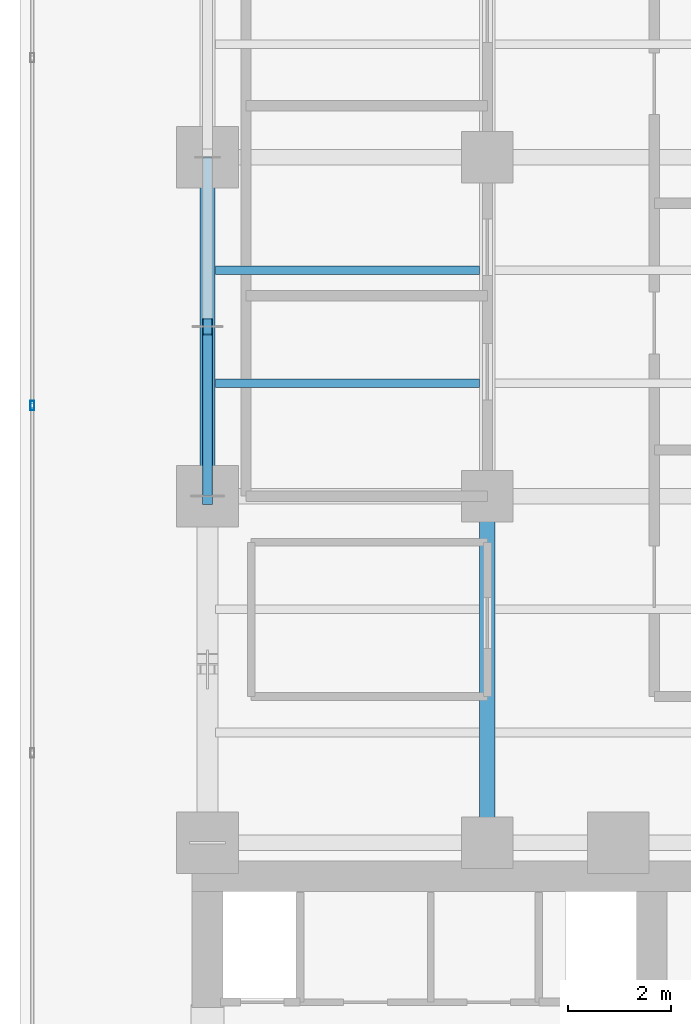
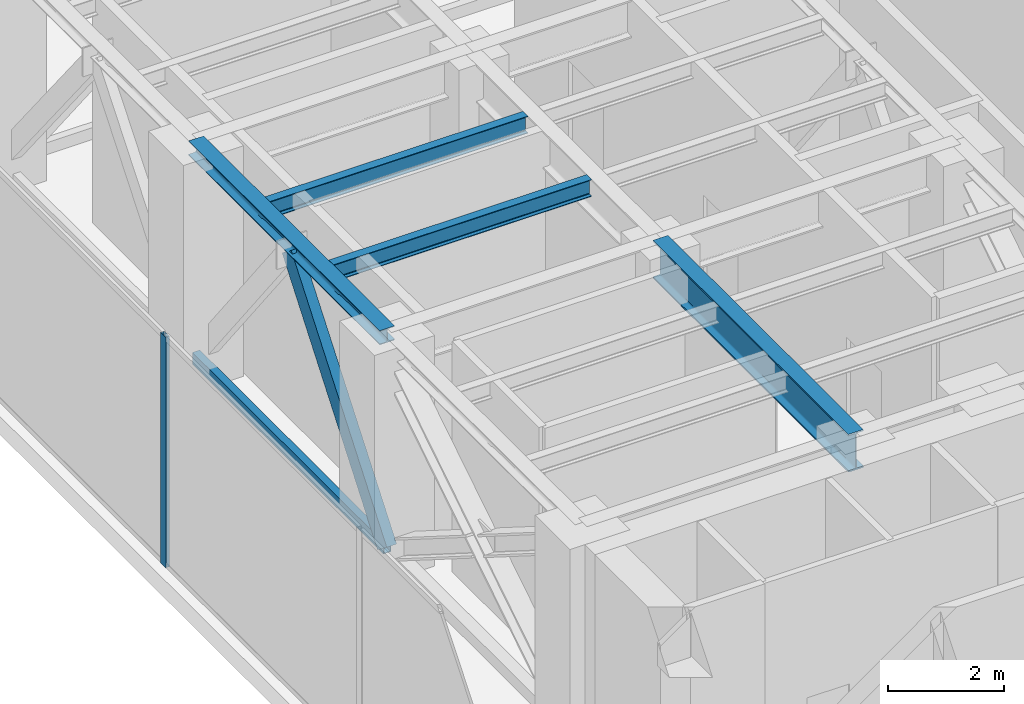
# One storey, part 11 of 36: 4 beams, 3 members, 1 element without a shape of its own.
"""IFC4 building model written with IfcOpenShell, lengths in metres."""

from ifc_helpers import new_model, si_unit, direction, frame, origin, origin_with_axes, origin_2d, place, context, subcontext, project, spatial, hollow_rectangle, i_section, extrude, source, transform, mapped, material, layer, layer_set, material_profile, profile_set, type_object, element, aggregate, save


model = new_model("IFC4")

# Units and contexts
model_context = context("Model", 3, precision=1e-05, world=origin(), true_north=direction((0.0, 1.0)))
body_context = subcontext(model_context, "Body", "Model", "MODEL_VIEW")
ifc_project = project(units=[si_unit("LENGTHUNIT", "METRE"), si_unit("AREAUNIT", "SQUARE_METRE"), si_unit("VOLUMEUNIT", "CUBIC_METRE"), si_unit("PLANEANGLEUNIT", "RADIAN"), si_unit("MASSUNIT", "GRAM", prefix="KILO")], contexts=[model_context])

# Site, building, storey
site_placement = place(None, origin())
site = spatial("IfcSite", under=ifc_project, at=site_placement, CompositionType="ELEMENT")
building_placement = place(site_placement, origin())
building = spatial("IfcBuilding", under=site, at=building_placement, Name="Kolvaren Waterfront Exchange", CompositionType="ELEMENT")
storey_placement = place(building_placement, frame((0.0, 0.0, 199.39990234375)))
storey = spatial("IfcBuildingStorey", under=building, at=storey_placement, Name="L51", CompositionType="ELEMENT", Elevation=199.39990234375)

# Beams
ifc_material_1 = material(Name="Steel S355", Category="steel")
ifc_material_profile_1 = material_profile(ifc_material_1, i_section(OverallWidth=0.300048828125, OverallDepth=0.300048828125, WebThickness=0.010986328125, FlangeThickness=0.01904296875, FilletRadius=0.027099609375, at=origin_2d()), Name="HEB300")
ifc_profile_set_1 = profile_set([ifc_material_profile_1], Name="Steel S355")
beam_type_1 = type_object("IfcBeamType", Name="STR-BM-HEB300", PredefinedType="SPANDREL", material=ifc_profile_set_1)
beam_1_placement = place(storey_placement, frame((7.449951171875, 31.199951171875, 4.710205078125), z_axis=(0.0, 1.0, 0.0), x_axis=(-1.0, 0.0, 0.0)))
element("IfcBeam", 1, at=beam_1_placement, inside=storey, type_object=beam_type_1, Name="L51 north-arm edge beam 2", PredefinedType="SPANDREL", context=body_context, shape_type="SweptSolid", body=[
    extrude(i_section(OverallWidth=0.300048828125, OverallDepth=0.300048828125, WebThickness=0.010986328125, FlangeThickness=0.01904296875, FilletRadius=0.027099609375, at=origin_2d()), origin(), (0.0, 0.0, 1.0), 6.60009765625),
])
ifc_material_profile_2 = material_profile(ifc_material_1, i_section(OverallWidth=0.300048828125, OverallDepth=0.800048828125, WebThickness=0.017578125, FlangeThickness=0.032958984375, FilletRadius=0.030029296875, at=origin_2d()), Name="HEB800")
ifc_profile_set_2 = profile_set([ifc_material_profile_2], Name="Steel S355")
beam_type_2 = type_object("IfcBeamType", Name="STR-BM-HEB800", PredefinedType="BEAM", material=ifc_profile_set_2)
beam_2_placement = place(storey_placement, frame((12.89990234375, 24.449951171875, 4.460205078125), z_axis=(0.0, 1.0, 0.0), x_axis=(-1.0, 0.0, 0.0)))
element("IfcBeam", 2, at=beam_2_placement, inside=storey, type_object=beam_type_2, Name="L51 north-arm edge beam 1", PredefinedType="BEAM", context=body_context, shape_type="SweptSolid", body=[
    extrude(i_section(OverallWidth=0.300048828125, OverallDepth=0.800048828125, WebThickness=0.017578125, FlangeThickness=0.032958984375, FilletRadius=0.030029296875, at=origin_2d()), origin(), (0.0, 0.0, 1.0), 6.75),
])
ifc_material_profile_3 = material_profile(ifc_material_1, i_section(OverallWidth=0.169921875, OverallDepth=0.360107421875, WebThickness=0.008056640625, FlangeThickness=0.0126953125, FilletRadius=0.01806640625, at=origin_2d()), Name="IPE360")
ifc_profile_set_3 = profile_set([ifc_material_profile_3], Name="Steel S355")
beam_type_3 = type_object("IfcBeamType", Name="STR-BM-IPE360", PredefinedType="JOIST", material=ifc_profile_set_3)
for number, where, z_axis, x_axis, name in (
    (3, (7.60205078125, 33.39990234375, 4.68017578125), (1.0, 0.0, 0.0), (0.0, 1.0, 0.0), "L51 north-arm composite joist 3A"),
    (4, (7.60205078125, 35.60009765625, 4.68017578125), (1.0, 0.0, 0.0), (0.0, 1.0, 0.0), "L51 north-arm composite joist 4A"),
):
    element("IfcBeam", number, at=place(storey_placement, frame(where, z_axis=z_axis, x_axis=x_axis)), inside=storey, type_object=beam_type_3, Name=name, PredefinedType="JOIST", context=body_context, shape_type="SweptSolid", body=[
        extrude(i_section(OverallWidth=0.169921875, OverallDepth=0.360107421875, WebThickness=0.008056640625, FlangeThickness=0.0126953125, FilletRadius=0.01806640625, at=origin_2d()), origin(), (0.0, 0.0, 1.0), 5.14599609375),
    ])

# Members
ifc_material_2 = material(Name="Steel S460", Category="steel")
ifc_material_profile_4 = material_profile(ifc_material_2, hollow_rectangle(XDim=0.14990234375, YDim=0.25, WallThickness=0.010009765625, at=origin_2d()), Name="RHS250x150x10")
ifc_profile_set_4 = profile_set([ifc_material_profile_4], Name="Steel S460")
member_type_1 = type_object("IfcMemberType", Name="STR-BR-RHS250", PredefinedType="CHORD", material=ifc_profile_set_4)
member_1_placement = place(storey_placement, frame((7.449951171875, 31.199951171875, 0.25), z_axis=(0.0, 1.0, 0.0), x_axis=(-1.0, 0.0, 0.0)))
element("IfcMember", 5, at=member_1_placement, inside=storey, type_object=member_type_1, Name="L51 belt-truss bottom chord BT4", PredefinedType="CHORD", context=body_context, shape_type="SweptSolid", body=[
    extrude(hollow_rectangle(XDim=0.14990234375, YDim=0.25, WallThickness=0.010009765625, at=origin_2d()), origin(), (0.0, 0.0, 1.0), 6.60009765625),
])
ifc_material_profile_5 = material_profile(ifc_material_2, hollow_rectangle(XDim=0.199951171875, YDim=0.39990234375, WallThickness=0.01611328125, at=origin_2d()), Name="RHS400x200x16")
ifc_profile_set_5 = profile_set([ifc_material_profile_5], Name="Steel S460")
member_type_2 = type_object("IfcMemberType", Name="STR-BR-RHS400", PredefinedType="BRACE", material=ifc_profile_set_5)
member_2_placement = place(storey_placement, frame((7.449951171875, 31.199951171875, 0.25), z_axis=(0.0, 0.612402527517, 0.790546105101), x_axis=(-1.0, 0.0, 0.0)))
element("IfcMember", 6, at=member_2_placement, inside=storey, type_object=member_type_2, Name="L51 belt-truss chevron brace BT4L", PredefinedType="BRACE", context=body_context, shape_type="SweptSolid", body=[
    extrude(hollow_rectangle(XDim=0.199951171875, YDim=0.39990234375, WallThickness=0.01611328125, at=origin_2d()), origin(), (0.0, 0.0, 1.0), 5.388671875),
])

# Curtain wall, member
ifc_material_3 = material(Name="Anodised dark bronze spandrel aluminium", Category="aluminium")
ifc_layer = layer(ifc_material_3, 0.219970703125, Name="Anodised dark bronze spandrel aluminium")
ifc_layer_set = layer_set([ifc_layer], Name="Anodised dark bronze spandrel aluminium")
curtain_wall_type = type_object("IfcCurtainWallType", Name="ARC-CW-SYS6", PredefinedType="USERDEFINED", material=ifc_layer_set)
curtain_wall_placement = place(storey_placement, origin())
curtain_wall = element("IfcCurtainWall", 7, at=curtain_wall_placement, inside=storey, type_object=curtain_wall_type, Name="L51 stick curtain wall CW6 (CW-L51-W)", ObjectType="STICK CURTAIN WALL", PredefinedType="USERDEFINED")
ifc_material_4 = material(Name="Anodised bronze aluminium 6063-T6", Category="aluminium")
ifc_material_profile_6 = material_profile(ifc_material_4, hollow_rectangle(XDim=0.074951171875, YDim=0.179931640625, WallThickness=0.00439453125, at=origin_2d()), Name="ALU-MUL-180x75x4.5")
ifc_profile_set_6 = profile_set([ifc_material_profile_6], Name="Anodised bronze aluminium 6063-T6")
member_type_3 = type_object("IfcMemberType", Name="ARC-CWM-180", PredefinedType="MULLION", material=ifc_profile_set_6)
shared_shape = source(origin_with_axes(), body_context, "Body", "SweptSolid", [
    extrude(hollow_rectangle(XDim=0.074951171875, YDim=0.179931640625, WallThickness=0.00439453125, at=origin_2d()), origin(), (0.0, 0.0, 1.0), 4.860107421875),
])
member_3_placement = place(storey_placement, frame((4.0400390625, 32.966552734375, 0.0), z_axis=(0.0, 0.0, 1.0), x_axis=(-1.0, 0.0, 0.0)))
member_3 = element("IfcMember", 8, at=member_3_placement, type_object=member_type_3, Name="CW6 mullion 5", PredefinedType="MULLION", context=body_context, shape_type="MappedRepresentation", body=[
    mapped(shared_shape, transform((0.0, 0.0, 0.0), x_axis=(1.0, 0.0, 0.0), y_axis=(0.0, 1.0, 0.0), z_axis=(0.0, 0.0, 1.0), scale=1.0)),
])
aggregate(curtain_wall, [member_3])

save(model, "model.ifc")
